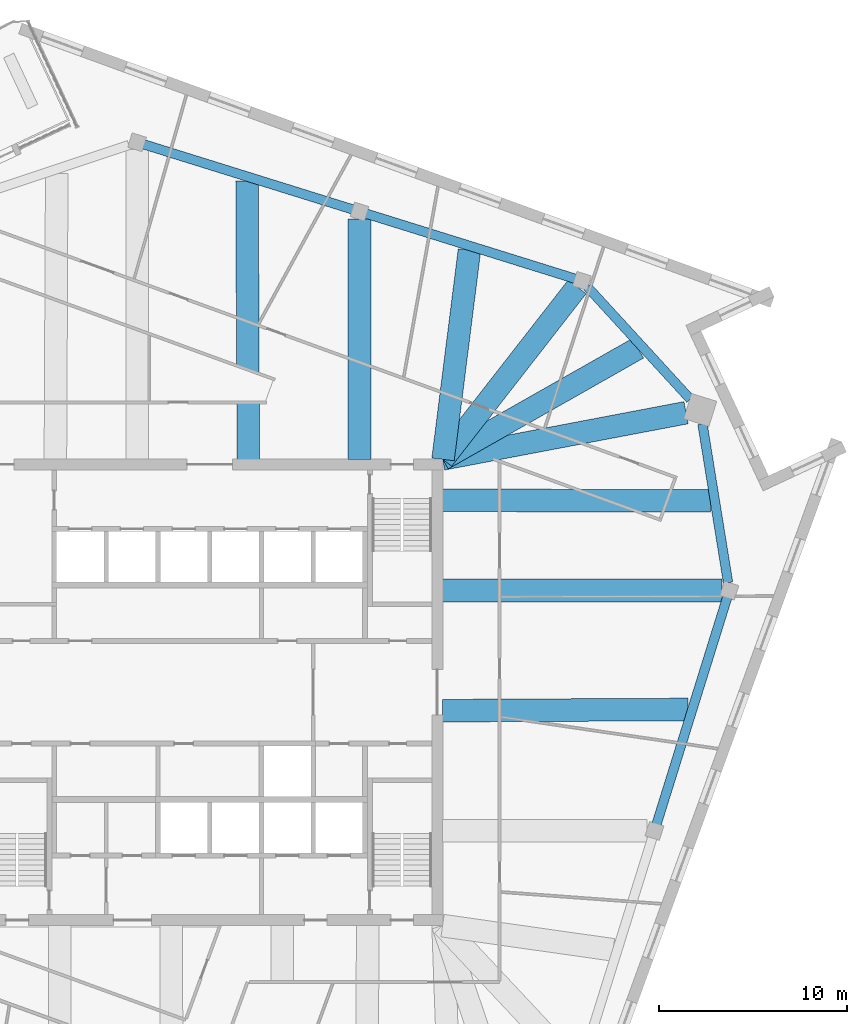
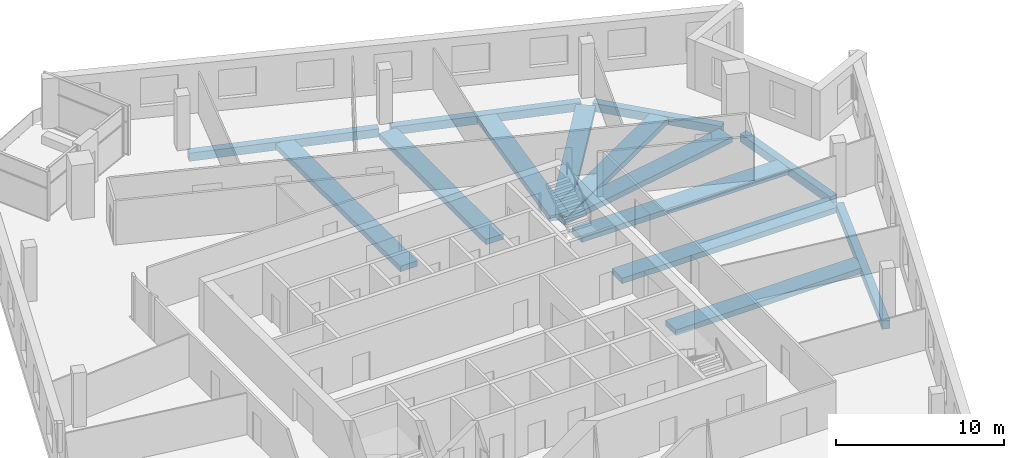
# One storey, part 3 of 13: 14 beams.
"""IFC4 building model written with IfcOpenShell, lengths in metres."""

from ifc_helpers import new_model, si_unit, direction, frame, origin, origin_2d, place, context, subcontext, project, spatial, rectangle, extrude, material, material_profile, profile_set, type_object, element, save


model = new_model("IFC4")

# Units and contexts
model_context = context("Model", 3, precision=1e-05, world=origin(), true_north=direction((0.0, 1.0)))
body_context = subcontext(model_context, "Body", "Model", "MODEL_VIEW")
ifc_project = project(units=[si_unit("LENGTHUNIT", "METRE"), si_unit("AREAUNIT", "SQUARE_METRE"), si_unit("VOLUMEUNIT", "CUBIC_METRE"), si_unit("PLANEANGLEUNIT", "RADIAN"), si_unit("MASSUNIT", "GRAM", prefix="KILO")], contexts=[model_context])

# Site, building, storey
site_placement = place(None, origin())
site = spatial("IfcSite", under=ifc_project, at=site_placement, CompositionType="ELEMENT")
building_placement = place(site_placement, origin())
building = spatial("IfcBuilding", under=site, at=building_placement, Name="Dilmun Exchange Tower", CompositionType="ELEMENT")
storey_placement = place(building_placement, frame((0.0, 0.0, 304.5)))
storey = spatial("IfcBuildingStorey", under=building, at=storey_placement, Name="L72", CompositionType="ELEMENT", Elevation=304.5)

# Beams
ifc_material = material(Name="Concrete C40/50", Category="concrete")
ifc_material_profile_1 = material_profile(ifc_material, rectangle(XDim=1.199951171875, YDim=0.39990234375, at=origin_2d()), Name="1200 x 400")
ifc_profile_set_1 = profile_set([ifc_material_profile_1], Name="Concrete C40/50")
beam_type_1 = type_object("IfcBeamType", Name="RC band beam 1200 x 400 C40/50", PredefinedType="BEAM", material=ifc_profile_set_1)
beam_1_placement = place(storey_placement, frame((27.216064453125, 5.406005859375, -0.64990234375), z_axis=(-1.0, 0.0, 0.0), x_axis=(0.0, -1.0, 0.0)))
element("IfcBeam", 1, at=beam_1_placement, inside=storey, type_object=beam_type_1, Name="Band beam 12", PredefinedType="BEAM", context=body_context, shape_type="SweptSolid", body=[
    extrude(rectangle(XDim=1.199951171875, YDim=0.39990234375, at=origin_2d()), origin(), (0.0, 0.0, 1.0), 14.843017578125),
])
beam_2_placement = place(storey_placement, frame((25.30712890625, 14.85205078125, -0.64990234375), z_axis=(-0.982429348436, -0.18663487169, 0.0), x_axis=(0.18663487169, -0.982429348436, 0.0)))
element("IfcBeam", 2, at=beam_2_placement, inside=storey, type_object=beam_type_1, Name="Band beam 13", PredefinedType="BEAM", context=body_context, shape_type="SweptSolid", body=[
    extrude(rectangle(XDim=1.199951171875, YDim=0.39990234375, at=origin_2d()), origin(), (0.0, 0.0, 1.0), 13.164794921875),
])
beam_3_placement = place(storey_placement, frame((19.52685546875, 21.541259765625, -0.64990234375), z_axis=(-0.614856714099, -0.788638840743, 0.0), x_axis=(0.788638840743, -0.614856714099, 0.0)))
element("IfcBeam", 3, at=beam_3_placement, inside=storey, type_object=beam_type_1, Name="Band beam 14", PredefinedType="BEAM", context=body_context, shape_type="SweptSolid", body=[
    extrude(rectangle(XDim=1.199951171875, YDim=0.39990234375, at=origin_2d()), origin(), (0.0, 0.0, 1.0), 11.6181640625),
])
beam_4_placement = place(storey_placement, frame((7.9580078125, 25.14697265625, -0.64990234375), z_axis=(0.0, -1.0, 0.0), x_axis=(1.0, 0.0, 0.0)))
element("IfcBeam", 4, at=beam_4_placement, inside=storey, type_object=beam_type_1, Name="Band beam 15", PredefinedType="BEAM", context=body_context, shape_type="SweptSolid", body=[
    extrude(rectangle(XDim=1.199951171875, YDim=0.39990234375, at=origin_2d()), origin(), (0.0, 0.0, 1.0), 12.77392578125),
])
beam_5_placement = place(storey_placement, frame((25.405517578125, -0.912109375, -0.550048828125), z_axis=(-0.999987018468, -0.005095379798, 0.0), x_axis=(0.005095379798, -0.999987018468, 0.0)))
element("IfcBeam", 5, at=beam_5_placement, inside=storey, type_object=beam_type_1, Name="Band beam 27", PredefinedType="BEAM", context=body_context, shape_type="SweptSolid", body=[
    extrude(rectangle(XDim=1.199951171875, YDim=0.39990234375, at=origin_2d()), origin(), (0.0, 0.0, 1.0), 13.03271484375),
])
beam_6_placement = place(storey_placement, frame((26.614013671875, 10.1650390625, -0.550048828125), z_axis=(-0.999996910379, 0.002485806038, 0.0), x_axis=(-0.002485806038, -0.999996910379, 0.0)))
element("IfcBeam", 6, at=beam_6_placement, inside=storey, type_object=beam_type_1, Name="Band beam 28", PredefinedType="BEAM", context=body_context, shape_type="SweptSolid", body=[
    extrude(rectangle(XDim=1.199951171875, YDim=0.39990234375, at=origin_2d()), origin(), (0.0, 0.0, 1.0), 14.240966796875),
])
beam_7_placement = place(storey_placement, frame((22.752197265625, 18.275390625, -0.550048828125), z_axis=(-0.869690188955, -0.493597989496, 0.0), x_axis=(0.493597989496, -0.869690188955, 0.0)))
element("IfcBeam", 7, at=beam_7_placement, inside=storey, type_object=beam_type_1, Name="Band beam 29", PredefinedType="BEAM", context=body_context, shape_type="SweptSolid", body=[
    extrude(rectangle(XDim=1.199951171875, YDim=0.39990234375, at=origin_2d()), origin(), (0.0, 0.0, 1.0), 11.93017578125),
])
beam_8_placement = place(storey_placement, frame((13.79931640625, 23.485107421875, -0.550048828125), z_axis=(-0.125252659456, -0.992124876867, 0.0), x_axis=(0.992124876867, -0.125252659456, 0.0)))
element("IfcBeam", 8, at=beam_8_placement, inside=storey, type_object=beam_type_1, Name="Band beam 30", PredefinedType="BEAM", context=body_context, shape_type="SweptSolid", body=[
    extrude(rectangle(XDim=1.199951171875, YDim=0.39990234375, at=origin_2d()), origin(), (0.0, 0.0, 1.0), 11.199951171875),
])
beam_9_placement = place(storey_placement, frame((1.984619140625, 27.16650390625, -0.550048828125), z_axis=(0.004488848064, -0.999989925071, 0.0), x_axis=(0.999989925071, 0.004488848064, 0.0)))
element("IfcBeam", 9, at=beam_9_placement, inside=storey, type_object=beam_type_1, Name="Band beam 31", PredefinedType="BEAM", context=body_context, shape_type="SweptSolid", body=[
    extrude(rectangle(XDim=1.199951171875, YDim=0.39990234375, at=origin_2d()), origin(), (0.0, 0.0, 1.0), 14.793701171875),
])
ifc_material_profile_2 = material_profile(ifc_material, rectangle(XDim=0.5, YDim=0.60009765625, at=origin_2d()), Name="500 x 600")
ifc_profile_set_2 = profile_set([ifc_material_profile_2], Name="Concrete C40/50")
beam_type_2 = type_object("IfcBeamType", Name="RC ring beam 500 x 600 C40/50", PredefinedType="SPANDREL", material=ifc_profile_set_2)
beam_10_placement = place(storey_placement, frame((23.739990234375, -7.0068359375, -0.64990234375), z_axis=(0.297508749799, 0.954719091562, 0.0), x_axis=(-0.954719091562, 0.297508749799, 0.0)))
element("IfcBeam", 10, at=beam_10_placement, inside=storey, type_object=beam_type_2, Name="Ring beam 11", PredefinedType="SPANDREL", context=body_context, shape_type="SweptSolid", body=[
    extrude(rectangle(XDim=0.5, YDim=0.60009765625, at=origin_2d()), origin(), (0.0, 0.0, 1.0), 12.62841796875),
])
beam_11_placement = place(storey_placement, frame((27.541015625, 5.820556640625, -0.64990234375), z_axis=(-0.159356501233, 0.987221102649, 0.0), x_axis=(-0.987221102649, -0.159356501233, 0.0)))
element("IfcBeam", 11, at=beam_11_placement, inside=storey, type_object=beam_type_2, Name="Ring beam 12", PredefinedType="SPANDREL", context=body_context, shape_type="SweptSolid", body=[
    extrude(rectangle(XDim=0.5, YDim=0.60009765625, at=origin_2d()), origin(), (0.0, 0.0, 1.0), 8.5380859375),
])
beam_12_placement = place(storey_placement, frame((25.531005859375, 15.572265625, -0.64990234375), z_axis=(-0.675535971399, 0.737327031476, 0.0), x_axis=(-0.737327031476, -0.675535971399, 0.0)))
element("IfcBeam", 12, at=beam_12_placement, inside=storey, type_object=beam_type_2, Name="Ring beam 13", PredefinedType="SPANDREL", context=body_context, shape_type="SweptSolid", body=[
    extrude(rectangle(XDim=0.5, YDim=0.60009765625, at=origin_2d()), origin(), (0.0, 0.0, 1.0), 8.087890625),
])
beam_13_placement = place(storey_placement, frame((19.4169921875, 21.968017578125, -0.64990234375), z_axis=(-0.95471613385, 0.297518241065, 0.0), x_axis=(-0.297518241065, -0.95471613385, 0.0)))
element("IfcBeam", 13, at=beam_13_placement, inside=storey, type_object=beam_type_2, Name="Ring beam 14", PredefinedType="SPANDREL", context=body_context, shape_type="SweptSolid", body=[
    extrude(rectangle(XDim=0.5, YDim=0.60009765625, at=origin_2d()), origin(), (0.0, 0.0, 1.0), 11.62939453125),
])
beam_14_placement = place(storey_placement, frame((7.601806640625, 25.64990234375, -0.64990234375), z_axis=(-0.954732553331, 0.297465546931, 0.0), x_axis=(-0.297465546931, -0.954732553331, 0.0)))
element("IfcBeam", 14, at=beam_14_placement, inside=storey, type_object=beam_type_2, Name="Ring beam 15", PredefinedType="SPANDREL", context=body_context, shape_type="SweptSolid", body=[
    extrude(rectangle(XDim=0.5, YDim=0.60009765625, at=origin_2d()), origin(), (0.0, 0.0, 1.0), 11.628173828125),
])

save(model, "model.ifc")
